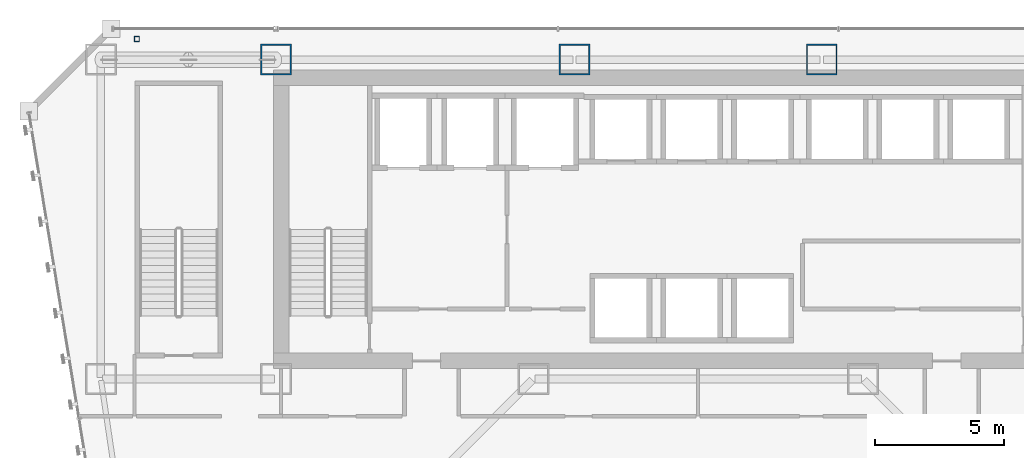
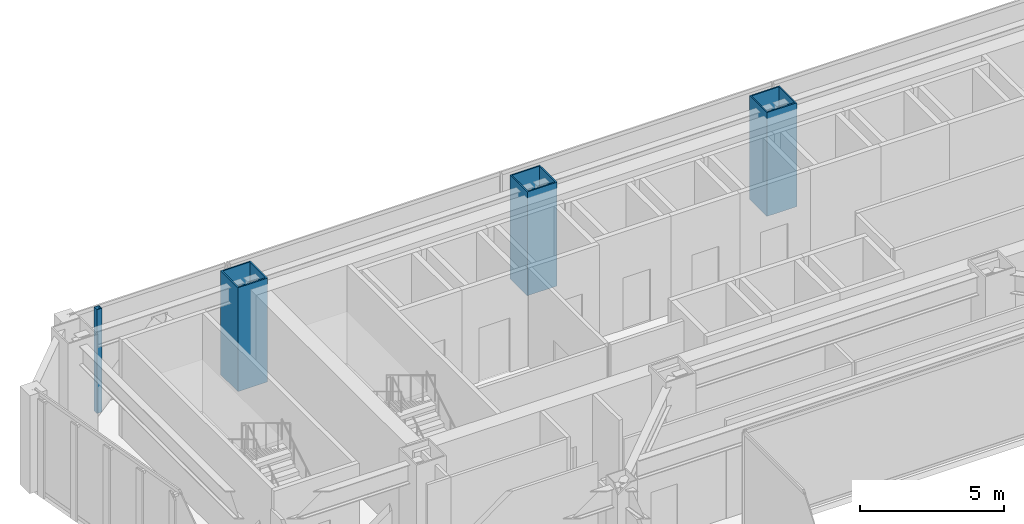
# One storey, part 2 of 47: 4 columns.
"""IFC4 building model written with IfcOpenShell, lengths in metres."""

from ifc_helpers import new_model, si_unit, direction, frame, origin, origin_2d, place, context, subcontext, project, spatial, hollow_rectangle, extrude, material, material_profile, profile_set, type_object, element, save


model = new_model("IFC4")

# Units and contexts
model_context = context("Model", 3, precision=1e-05, world=origin(), true_north=direction((0.0, 1.0)))
body_context = subcontext(model_context, "Body", "Model", "MODEL_VIEW")
ifc_project = project(units=[si_unit("LENGTHUNIT", "METRE"), si_unit("AREAUNIT", "SQUARE_METRE"), si_unit("VOLUMEUNIT", "CUBIC_METRE"), si_unit("PLANEANGLEUNIT", "RADIAN"), si_unit("MASSUNIT", "GRAM", prefix="KILO")], contexts=[model_context])

# Site, building, storey
site_placement = place(None, origin())
site = spatial("IfcSite", under=ifc_project, at=site_placement, CompositionType="ELEMENT")
building_placement = place(site_placement, origin())
building = spatial("IfcBuilding", under=site, at=building_placement, Name="Saevonmaru Cultural Tower", CompositionType="ELEMENT")
storey_placement = place(building_placement, frame((0.0, 0.0, 42.800048828125)))
storey = spatial("IfcBuildingStorey", under=building, at=storey_placement, Name="L08", CompositionType="ELEMENT", Elevation=42.800048828125)

# Columns
ifc_material_1 = material(Name="Steel HSA600 (600 MPa)", Category="steel")
ifc_material_profile_1 = material_profile(ifc_material_1, hollow_rectangle(XDim=1.199951171875, YDim=1.199951171875, WallThickness=0.054931640625, at=origin_2d()), Name="BOX-1200x1200x55")
ifc_profile_set_1 = profile_set([ifc_material_profile_1], Name="Steel HSA600 (600 MPa)")
column_type_1 = type_object("IfcColumnType", Name="COL-BOX-1200", PredefinedType="COLUMN", material=ifc_profile_set_1)
for number, where, z_axis, x_axis, name in (
    (1, (13.60009765625, 54.800048828125, 0.0), (0.0, 0.0, 1.0), (1.0, 0.0, 0.0), "L08 Column TC-N2N"),
    (2, (25.199951171875, 54.800048828125, 0.0), (0.0, 0.0, 1.0), (1.0, 0.0, 0.0), "L08 Column TC-N3N"),
    (3, (34.800048828125, 54.800048828125, 0.0), (0.0, 0.0, 1.0), (1.0, 0.0, 0.0), "L08 Column TC-N4N"),
):
    element("IfcColumn", number, at=place(storey_placement, frame(where, z_axis=z_axis, x_axis=x_axis)), inside=storey, type_object=column_type_1, Name=name, PredefinedType="COLUMN", context=body_context, shape_type="SweptSolid", body=[
        extrude(hollow_rectangle(XDim=1.199951171875, YDim=1.199951171875, WallThickness=0.054931640625, at=origin_2d()), origin(), (0.0, 0.0, 1.0), 4.39990234375),
    ])
ifc_material_2 = material(Name="Steel SM355", Category="steel")
ifc_material_profile_2 = material_profile(ifc_material_2, hollow_rectangle(XDim=0.199951171875, YDim=0.199951171875, WallThickness=0.010009765625, at=origin_2d()), Name="SHS-200x200x10")
ifc_profile_set_2 = profile_set([ifc_material_profile_2], Name="Steel SM355")
column_type_2 = type_object("IfcColumnType", Name="PIL-SHS-200", PredefinedType="PILASTER", material=ifc_profile_set_2)
column_placement = place(storey_placement, frame((8.199951171875, 55.60009765625, 0.0), z_axis=(0.0, 0.0, 1.0), x_axis=(1.0, 0.0, 0.0)))
element("IfcColumn", 4, at=column_placement, inside=storey, type_object=column_type_2, Name="L08 Art Deco Bronze-Clad Pilaster PIL-NW", PredefinedType="PILASTER", context=body_context, shape_type="SweptSolid", body=[
    extrude(hollow_rectangle(XDim=0.199951171875, YDim=0.199951171875, WallThickness=0.010009765625, at=origin_2d()), origin(), (0.0, 0.0, 1.0), 4.39990234375),
])

save(model, "model.ifc")
